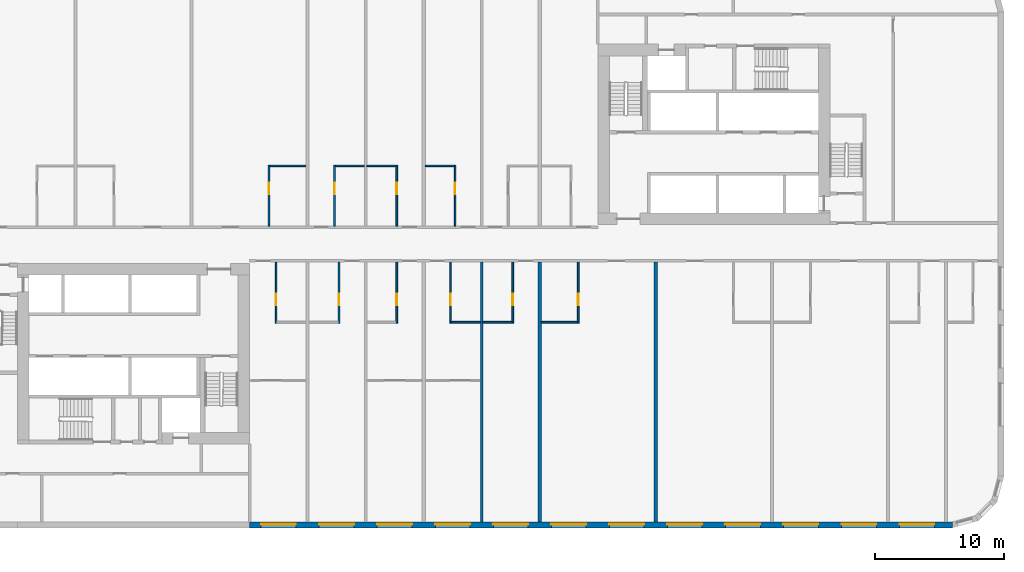
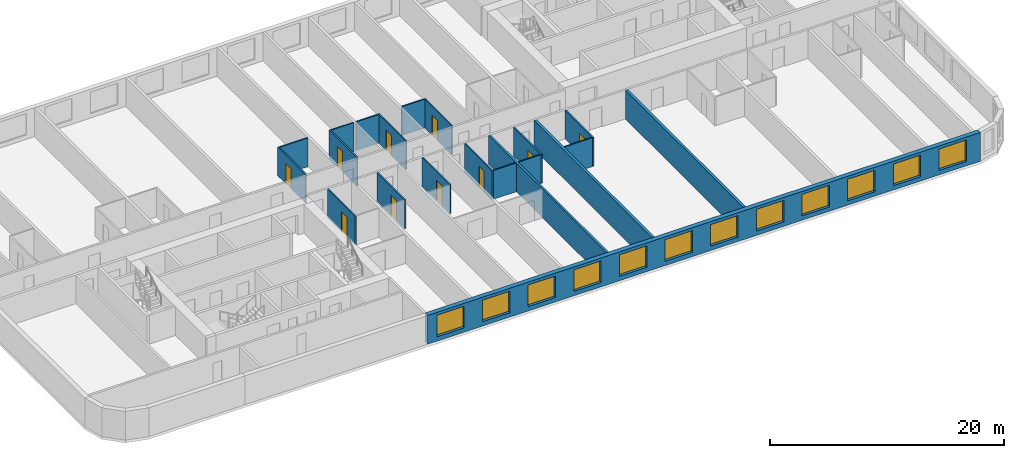
# One storey, part 4 of 12: 21 walls, 12 windows, 10 doors, 22 openings.
"""IFC4 building model written with IfcOpenShell, lengths in metres."""

from ifc_helpers import new_model, si_unit, direction, frame, frame_2d, origin, place, context, subcontext, project, spatial, rectangle, extrude, material, layer, layer_set, type_object, element, fill, save


model = new_model("IFC4")

# Units and contexts
model_context = context("Model", 3, precision=1e-05, world=origin(), true_north=direction((0.0, 1.0)))
body_context = subcontext(model_context, "Body", "Model", "MODEL_VIEW")
ifc_project = project(units=[si_unit("LENGTHUNIT", "METRE"), si_unit("AREAUNIT", "SQUARE_METRE"), si_unit("VOLUMEUNIT", "CUBIC_METRE"), si_unit("PLANEANGLEUNIT", "RADIAN"), si_unit("MASSUNIT", "GRAM", prefix="KILO")], contexts=[model_context])

# Site, building, storey
site_placement = place(None, origin())
site = spatial("IfcSite", under=ifc_project, at=site_placement, CompositionType="ELEMENT")
building_placement = place(site_placement, origin())
building = spatial("IfcBuilding", under=site, at=building_placement, Name="Kajstack Hotel Tower", CompositionType="ELEMENT")
storey_placement = place(building_placement, frame((0.0, 0.0, 96.300048828125)))
storey = spatial("IfcBuildingStorey", under=building, at=storey_placement, Name="L20", CompositionType="ELEMENT", Elevation=96.300048828125)

# Wall
ifc_material_1 = material(Name="Twin-frame gypsum board on steel studs, mineral wool", Category="steel")
ifc_layer_1 = layer(ifc_material_1, 0.199951171875)
ifc_layer_set_1 = layer_set([ifc_layer_1], Name="Demising wall 200")
wall_type_1 = type_object("IfcWallType", Name="Demising wall 200", PredefinedType="PARTITIONING", material=ifc_layer_set_1)
wall_1_placement = place(storey_placement, frame((4.5, -21.550048828125, 0.0), z_axis=(0.0, 0.0, 1.0), x_axis=(0.0, 1.0, 0.0)))
element("IfcWall", 1, at=wall_1_placement, inside=storey, type_object=wall_type_1, Name="G-wall-L20-036", PredefinedType="PARTITIONING", context=body_context, shape_type="SweptSolid", body=[
    extrude(rectangle(XDim=20.150146484375, YDim=0.199951171875, at=frame_2d((10.0751953125, 0.0))), origin(), (0.0, 0.0, 1.0), 3.0),
])

# Wall, openings, windows
ifc_material_2 = material(Name="Terracotta-faced brick masonry", Category="masonry")
ifc_layer_2 = layer(ifc_material_2, 0.449951171875)
ifc_layer_set_2 = layer_set([ifc_layer_2], Name="EW-TERRA")
wall_type_2 = type_object("IfcWallType", Name="EW-TERRA", PredefinedType="SOLIDWALL", material=ifc_layer_set_2)
wall_2_placement = place(storey_placement, frame((-13.5, -21.77490234375, 0.0), z_axis=(0.0, 0.0, 1.0), x_axis=(1.0, 0.0, 0.0)))
wall_2 = element("IfcWall", 2, at=wall_2_placement, inside=storey, type_object=wall_type_2, Name="E-wall-L20-03-02", PredefinedType="SOLIDWALL", context=body_context, shape_type="SweptSolid", body=[
    extrude(rectangle(XDim=54.5, YDim=0.449951171875, at=frame_2d((27.25, 0.0))), origin(), (0.0, 0.0, 1.0), 3.0),
])
opening_1_placement = place(wall_2_placement, frame((0.89990234375, 0.0, 0.449951171875)))
opening_1 = element("IfcOpeningElement", 3, at=opening_1_placement, cuts=wall_2, Name="Opening W1", PredefinedType="OPENING", context=body_context, shape_type="SweptSolid", body=[
    extrude(rectangle(XDim=2.699951171875, YDim=2.25, at=frame_2d((1.35009765625, 1.125))), frame((0.0, 0.23486328125, 0.0), z_axis=(0.0, -1.0, 0.0), x_axis=(1.0, 0.0, 0.0)), (0.0, 0.0, 1.0), 0.469970703125),
])
opening_2_placement = place(wall_2_placement, frame((5.39990234375, 0.0, 0.449951171875)))
opening_2 = element("IfcOpeningElement", 4, at=opening_2_placement, cuts=wall_2, Name="Opening W1", PredefinedType="OPENING", context=body_context, shape_type="SweptSolid", body=[
    extrude(rectangle(XDim=2.699951171875, YDim=2.25, at=frame_2d((1.35009765625, 1.125))), frame((0.0, 0.23486328125, 0.0), z_axis=(0.0, -1.0, 0.0), x_axis=(1.0, 0.0, 0.0)), (0.0, 0.0, 1.0), 0.469970703125),
])
opening_3_placement = place(wall_2_placement, frame((9.89990234375, 0.0, 0.449951171875)))
opening_3 = element("IfcOpeningElement", 5, at=opening_3_placement, cuts=wall_2, Name="Opening W1", PredefinedType="OPENING", context=body_context, shape_type="SweptSolid", body=[
    extrude(rectangle(XDim=2.699951171875, YDim=2.25, at=frame_2d((1.35009765625, 1.125))), frame((0.0, 0.23486328125, 0.0), z_axis=(0.0, -1.0, 0.0), x_axis=(1.0, 0.0, 0.0)), (0.0, 0.0, 1.0), 0.469970703125),
])
opening_4_placement = place(wall_2_placement, frame((14.39990234375, 0.0, 0.449951171875)))
opening_4 = element("IfcOpeningElement", 6, at=opening_4_placement, cuts=wall_2, Name="Opening W1", PredefinedType="OPENING", context=body_context, shape_type="SweptSolid", body=[
    extrude(rectangle(XDim=2.699951171875, YDim=2.25, at=frame_2d((1.35009765625, 1.125))), frame((0.0, 0.23486328125, 0.0), z_axis=(0.0, -1.0, 0.0), x_axis=(1.0, 0.0, 0.0)), (0.0, 0.0, 1.0), 0.469970703125),
])
opening_5_placement = place(wall_2_placement, frame((18.89990234375, 0.0, 0.449951171875)))
opening_5 = element("IfcOpeningElement", 7, at=opening_5_placement, cuts=wall_2, Name="Opening W1", PredefinedType="OPENING", context=body_context, shape_type="SweptSolid", body=[
    extrude(rectangle(XDim=2.699951171875, YDim=2.25, at=frame_2d((1.35009765625, 1.125))), frame((0.0, 0.23486328125, 0.0), z_axis=(0.0, -1.0, 0.0), x_axis=(1.0, 0.0, 0.0)), (0.0, 0.0, 1.0), 0.469970703125),
])
opening_6_placement = place(wall_2_placement, frame((23.39990234375, 0.0, 0.449951171875)))
opening_6 = element("IfcOpeningElement", 8, at=opening_6_placement, cuts=wall_2, Name="Opening W1", PredefinedType="OPENING", context=body_context, shape_type="SweptSolid", body=[
    extrude(rectangle(XDim=2.699951171875, YDim=2.25, at=frame_2d((1.35009765625, 1.125))), frame((0.0, 0.23486328125, 0.0), z_axis=(0.0, -1.0, 0.0), x_axis=(1.0, 0.0, 0.0)), (0.0, 0.0, 1.0), 0.469970703125),
])
opening_7_placement = place(wall_2_placement, frame((27.89990234375, 0.0, 0.449951171875)))
opening_7 = element("IfcOpeningElement", 9, at=opening_7_placement, cuts=wall_2, Name="Opening W1", PredefinedType="OPENING", context=body_context, shape_type="SweptSolid", body=[
    extrude(rectangle(XDim=2.699951171875, YDim=2.25, at=frame_2d((1.35009765625, 1.125))), frame((0.0, 0.23486328125, 0.0), z_axis=(0.0, -1.0, 0.0), x_axis=(1.0, 0.0, 0.0)), (0.0, 0.0, 1.0), 0.469970703125),
])
opening_8_placement = place(wall_2_placement, frame((32.39990234375, 0.0, 0.449951171875)))
opening_8 = element("IfcOpeningElement", 10, at=opening_8_placement, cuts=wall_2, Name="Opening W1", PredefinedType="OPENING", context=body_context, shape_type="SweptSolid", body=[
    extrude(rectangle(XDim=2.699951171875, YDim=2.25, at=frame_2d((1.35009765625, 1.125))), frame((0.0, 0.23486328125, 0.0), z_axis=(0.0, -1.0, 0.0), x_axis=(1.0, 0.0, 0.0)), (0.0, 0.0, 1.0), 0.469970703125),
])
opening_9_placement = place(wall_2_placement, frame((36.89990234375, 0.0, 0.449951171875)))
opening_9 = element("IfcOpeningElement", 11, at=opening_9_placement, cuts=wall_2, Name="Opening W1", PredefinedType="OPENING", context=body_context, shape_type="SweptSolid", body=[
    extrude(rectangle(XDim=2.699951171875, YDim=2.25, at=frame_2d((1.35009765625, 1.125))), frame((0.0, 0.23486328125, 0.0), z_axis=(0.0, -1.0, 0.0), x_axis=(1.0, 0.0, 0.0)), (0.0, 0.0, 1.0), 0.469970703125),
])
opening_10_placement = place(wall_2_placement, frame((41.39990234375, 0.0, 0.449951171875)))
opening_10 = element("IfcOpeningElement", 12, at=opening_10_placement, cuts=wall_2, Name="Opening W1", PredefinedType="OPENING", context=body_context, shape_type="SweptSolid", body=[
    extrude(rectangle(XDim=2.699951171875, YDim=2.25, at=frame_2d((1.35009765625, 1.125))), frame((0.0, 0.23486328125, 0.0), z_axis=(0.0, -1.0, 0.0), x_axis=(1.0, 0.0, 0.0)), (0.0, 0.0, 1.0), 0.469970703125),
])
opening_11_placement = place(wall_2_placement, frame((45.89990234375, 0.0, 0.449951171875)))
opening_11 = element("IfcOpeningElement", 13, at=opening_11_placement, cuts=wall_2, Name="Opening W1", PredefinedType="OPENING", context=body_context, shape_type="SweptSolid", body=[
    extrude(rectangle(XDim=2.699951171875, YDim=2.25, at=frame_2d((1.35009765625, 1.125))), frame((0.0, 0.23486328125, 0.0), z_axis=(0.0, -1.0, 0.0), x_axis=(1.0, 0.0, 0.0)), (0.0, 0.0, 1.0), 0.469970703125),
])
opening_12_placement = place(wall_2_placement, frame((50.39990234375, 0.0, 0.449951171875)))
opening_12 = element("IfcOpeningElement", 14, at=opening_12_placement, cuts=wall_2, Name="Opening W1", PredefinedType="OPENING", context=body_context, shape_type="SweptSolid", body=[
    extrude(rectangle(XDim=2.699951171875, YDim=2.25, at=frame_2d((1.35009765625, 1.125))), frame((0.0, 0.23486328125, 0.0), z_axis=(0.0, -1.0, 0.0), x_axis=(1.0, 0.0, 0.0)), (0.0, 0.0, 1.0), 0.469970703125),
])
ifc_material_3 = material(Name="Timber-aluminium window, triple glazed", Category="wood")
window_type = type_object("IfcWindowType", Name="WG1", PartitioningType="SINGLE_PANEL", PredefinedType="WINDOW", material=ifc_material_3)
window_1_placement = place(opening_1_placement, origin())
window_1 = element("IfcWindow", 15, at=window_1_placement, inside=storey, type_object=window_type, Name="Window W1 L20-03", OverallHeight=2.25, OverallWidth=2.699951171875, PartitioningType="SINGLE_PANEL", PredefinedType="WINDOW", context=body_context, shape_type="SweptSolid", body=[
    extrude(rectangle(XDim=2.699951171875, YDim=2.25, at=frame_2d((1.35009765625, 1.125))), frame((0.0, 0.090087890625, 0.0), z_axis=(0.0, -1.0, 0.0), x_axis=(1.0, 0.0, 0.0)), (0.0, 0.0, 1.0), 0.06005859375),
])
fill(opening_1, window_1)
window_2_placement = place(opening_2_placement, origin())
window_2 = element("IfcWindow", 16, at=window_2_placement, inside=storey, type_object=window_type, Name="Window W1 L20-03", OverallHeight=2.25, OverallWidth=2.699951171875, PartitioningType="SINGLE_PANEL", PredefinedType="WINDOW", context=body_context, shape_type="SweptSolid", body=[
    extrude(rectangle(XDim=2.699951171875, YDim=2.25, at=frame_2d((1.35009765625, 1.125))), frame((0.0, 0.090087890625, 0.0), z_axis=(0.0, -1.0, 0.0), x_axis=(1.0, 0.0, 0.0)), (0.0, 0.0, 1.0), 0.06005859375),
])
fill(opening_2, window_2)
window_3_placement = place(opening_3_placement, origin())
window_3 = element("IfcWindow", 17, at=window_3_placement, inside=storey, type_object=window_type, Name="Window W1 L20-03", OverallHeight=2.25, OverallWidth=2.699951171875, PartitioningType="SINGLE_PANEL", PredefinedType="WINDOW", context=body_context, shape_type="SweptSolid", body=[
    extrude(rectangle(XDim=2.699951171875, YDim=2.25, at=frame_2d((1.35009765625, 1.125))), frame((0.0, 0.090087890625, 0.0), z_axis=(0.0, -1.0, 0.0), x_axis=(1.0, 0.0, 0.0)), (0.0, 0.0, 1.0), 0.06005859375),
])
fill(opening_3, window_3)
window_4_placement = place(opening_4_placement, origin())
window_4 = element("IfcWindow", 18, at=window_4_placement, inside=storey, type_object=window_type, Name="Window W1 L20-03", OverallHeight=2.25, OverallWidth=2.699951171875, PartitioningType="SINGLE_PANEL", PredefinedType="WINDOW", context=body_context, shape_type="SweptSolid", body=[
    extrude(rectangle(XDim=2.699951171875, YDim=2.25, at=frame_2d((1.35009765625, 1.125))), frame((0.0, 0.090087890625, 0.0), z_axis=(0.0, -1.0, 0.0), x_axis=(1.0, 0.0, 0.0)), (0.0, 0.0, 1.0), 0.06005859375),
])
fill(opening_4, window_4)
window_5_placement = place(opening_5_placement, origin())
window_5 = element("IfcWindow", 19, at=window_5_placement, inside=storey, type_object=window_type, Name="Window W1 L20-03", OverallHeight=2.25, OverallWidth=2.699951171875, PartitioningType="SINGLE_PANEL", PredefinedType="WINDOW", context=body_context, shape_type="SweptSolid", body=[
    extrude(rectangle(XDim=2.699951171875, YDim=2.25, at=frame_2d((1.35009765625, 1.125))), frame((0.0, 0.090087890625, 0.0), z_axis=(0.0, -1.0, 0.0), x_axis=(1.0, 0.0, 0.0)), (0.0, 0.0, 1.0), 0.06005859375),
])
fill(opening_5, window_5)
window_6_placement = place(opening_6_placement, origin())
window_6 = element("IfcWindow", 20, at=window_6_placement, inside=storey, type_object=window_type, Name="Window W1 L20-03", OverallHeight=2.25, OverallWidth=2.699951171875, PartitioningType="SINGLE_PANEL", PredefinedType="WINDOW", context=body_context, shape_type="SweptSolid", body=[
    extrude(rectangle(XDim=2.699951171875, YDim=2.25, at=frame_2d((1.35009765625, 1.125))), frame((0.0, 0.090087890625, 0.0), z_axis=(0.0, -1.0, 0.0), x_axis=(1.0, 0.0, 0.0)), (0.0, 0.0, 1.0), 0.06005859375),
])
fill(opening_6, window_6)
window_7_placement = place(opening_7_placement, origin())
window_7 = element("IfcWindow", 21, at=window_7_placement, inside=storey, type_object=window_type, Name="Window W1 L20-03", OverallHeight=2.25, OverallWidth=2.699951171875, PartitioningType="SINGLE_PANEL", PredefinedType="WINDOW", context=body_context, shape_type="SweptSolid", body=[
    extrude(rectangle(XDim=2.699951171875, YDim=2.25, at=frame_2d((1.35009765625, 1.125))), frame((0.0, 0.090087890625, 0.0), z_axis=(0.0, -1.0, 0.0), x_axis=(1.0, 0.0, 0.0)), (0.0, 0.0, 1.0), 0.06005859375),
])
fill(opening_7, window_7)
window_8_placement = place(opening_8_placement, origin())
window_8 = element("IfcWindow", 22, at=window_8_placement, inside=storey, type_object=window_type, Name="Window W1 L20-03", OverallHeight=2.25, OverallWidth=2.699951171875, PartitioningType="SINGLE_PANEL", PredefinedType="WINDOW", context=body_context, shape_type="SweptSolid", body=[
    extrude(rectangle(XDim=2.699951171875, YDim=2.25, at=frame_2d((1.35009765625, 1.125))), frame((0.0, 0.090087890625, 0.0), z_axis=(0.0, -1.0, 0.0), x_axis=(1.0, 0.0, 0.0)), (0.0, 0.0, 1.0), 0.06005859375),
])
fill(opening_8, window_8)
window_9_placement = place(opening_9_placement, origin())
window_9 = element("IfcWindow", 23, at=window_9_placement, inside=storey, type_object=window_type, Name="Window W1 L20-03", OverallHeight=2.25, OverallWidth=2.699951171875, PartitioningType="SINGLE_PANEL", PredefinedType="WINDOW", context=body_context, shape_type="SweptSolid", body=[
    extrude(rectangle(XDim=2.699951171875, YDim=2.25, at=frame_2d((1.35009765625, 1.125))), frame((0.0, 0.090087890625, 0.0), z_axis=(0.0, -1.0, 0.0), x_axis=(1.0, 0.0, 0.0)), (0.0, 0.0, 1.0), 0.06005859375),
])
fill(opening_9, window_9)
window_10_placement = place(opening_10_placement, origin())
window_10 = element("IfcWindow", 24, at=window_10_placement, inside=storey, type_object=window_type, Name="Window W1 L20-03", OverallHeight=2.25, OverallWidth=2.699951171875, PartitioningType="SINGLE_PANEL", PredefinedType="WINDOW", context=body_context, shape_type="SweptSolid", body=[
    extrude(rectangle(XDim=2.699951171875, YDim=2.25, at=frame_2d((1.35009765625, 1.125))), frame((0.0, 0.090087890625, 0.0), z_axis=(0.0, -1.0, 0.0), x_axis=(1.0, 0.0, 0.0)), (0.0, 0.0, 1.0), 0.06005859375),
])
fill(opening_10, window_10)
window_11_placement = place(opening_11_placement, origin())
window_11 = element("IfcWindow", 25, at=window_11_placement, inside=storey, type_object=window_type, Name="Window W1 L20-03", OverallHeight=2.25, OverallWidth=2.699951171875, PartitioningType="SINGLE_PANEL", PredefinedType="WINDOW", context=body_context, shape_type="SweptSolid", body=[
    extrude(rectangle(XDim=2.699951171875, YDim=2.25, at=frame_2d((1.35009765625, 1.125))), frame((0.0, 0.090087890625, 0.0), z_axis=(0.0, -1.0, 0.0), x_axis=(1.0, 0.0, 0.0)), (0.0, 0.0, 1.0), 0.06005859375),
])
fill(opening_11, window_11)
window_12_placement = place(opening_12_placement, origin())
window_12 = element("IfcWindow", 26, at=window_12_placement, inside=storey, type_object=window_type, Name="Window W1 L20-03", OverallHeight=2.25, OverallWidth=2.699951171875, PartitioningType="SINGLE_PANEL", PredefinedType="WINDOW", context=body_context, shape_type="SweptSolid", body=[
    extrude(rectangle(XDim=2.699951171875, YDim=2.25, at=frame_2d((1.35009765625, 1.125))), frame((0.0, 0.090087890625, 0.0), z_axis=(0.0, -1.0, 0.0), x_axis=(1.0, 0.0, 0.0)), (0.0, 0.0, 1.0), 0.06005859375),
])
fill(opening_12, window_12)

# Wall, opening, door
ifc_material_4 = material(Name="Gypsum board and tiled backer on steel studs", Category="steel")
ifc_layer_3 = layer(ifc_material_4, 0.125)
ifc_layer_set_3 = layer_set([ifc_layer_3], Name="En-suite wall 125")
wall_type_3 = type_object("IfcWallType", Name="En-suite wall 125", PredefinedType="PARTITIONING", material=ifc_layer_set_3)
wall_3_placement = place(storey_placement, frame((-11.988037109375, 1.39990234375, 0.0), z_axis=(0.0, 0.0, 1.0), x_axis=(0.0, 1.0, 0.0)))
wall_3 = element("IfcWall", 27, at=wall_3_placement, inside=storey, type_object=wall_type_3, Name="G-wall-L20-012", PredefinedType="PARTITIONING", context=body_context, shape_type="SweptSolid", body=[
    extrude(rectangle(XDim=4.72509765625, YDim=0.125, at=frame_2d((2.362548828125, 0.0))), origin(), (0.0, 0.0, 1.0), 3.0),
])
opening_13_placement = place(wall_3_placement, frame((2.449951171875, 0.0, 0.0)))
opening_13 = element("IfcOpeningElement", 28, at=opening_13_placement, cuts=wall_3, Name="Opening 20010", PredefinedType="OPENING", context=body_context, shape_type="SweptSolid", body=[
    extrude(rectangle(XDim=0.89990234375, YDim=2.10009765625, at=frame_2d((0.449951171875, 1.050048828125))), frame((0.0, 0.072509765625, 0.0), z_axis=(0.0, -1.0, 0.0), x_axis=(1.0, 0.0, 0.0)), (0.0, 0.0, 1.0), 0.14501953125),
])
ifc_material_5 = material(Name="Painted timber door leaf", Category="wood")
door_type = type_object("IfcDoorType", Name="Room door 900", OperationType="SINGLE_SWING_LEFT", PredefinedType="DOOR", material=ifc_material_5)
door_1_placement = place(opening_13_placement, origin())
door_1 = element("IfcDoor", 29, at=door_1_placement, inside=storey, type_object=door_type, Name="G-door-L20-10", OperationType="SINGLE_SWING_LEFT", OverallHeight=2.10009765625, OverallWidth=0.89990234375, PredefinedType="DOOR", context=body_context, shape_type="SweptSolid", body=[
    extrude(rectangle(XDim=0.89990234375, YDim=2.10009765625, at=frame_2d((0.449951171875, 1.050048828125))), frame((0.0, 0.02490234375, 0.0), z_axis=(0.0, -1.0, 0.0), x_axis=(1.0, 0.0, 0.0)), (0.0, 0.0, 1.0), 0.050048828125),
])
fill(opening_13, door_1)

# Wall
wall_4_placement = place(storey_placement, frame((-11.925048828125, 6.06201171875, 0.0), z_axis=(0.0, 0.0, 1.0), x_axis=(1.0, 0.0, 0.0)))
element("IfcWall", 30, at=wall_4_placement, inside=storey, type_object=wall_type_3, Name="G-wall-L20-013", PredefinedType="PARTITIONING", context=body_context, shape_type="SweptSolid", body=[
    extrude(rectangle(XDim=2.800048828125, YDim=0.125, at=frame_2d((1.39990234375, 0.0))), origin(), (0.0, 0.0, 1.0), 3.0),
])

# Wall, opening, door
wall_5_placement = place(storey_placement, frame((-6.912109375, 1.39990234375, 0.0), z_axis=(0.0, 0.0, 1.0), x_axis=(0.0, 1.0, 0.0)))
wall_5 = element("IfcWall", 31, at=wall_5_placement, inside=storey, type_object=wall_type_3, Name="G-wall-L20-015", PredefinedType="PARTITIONING", context=body_context, shape_type="SweptSolid", body=[
    extrude(rectangle(XDim=4.72509765625, YDim=0.125, at=frame_2d((2.362548828125, 0.0))), origin(), (0.0, 0.0, 1.0), 3.0),
])
opening_14_placement = place(wall_5_placement, frame((2.449951171875, 0.0, 0.0)))
opening_14 = element("IfcOpeningElement", 32, at=opening_14_placement, cuts=wall_5, Name="Opening 20012", PredefinedType="OPENING", context=body_context, shape_type="SweptSolid", body=[
    extrude(rectangle(XDim=0.89990234375, YDim=2.10009765625, at=frame_2d((0.449951171875, 1.050048828125))), frame((0.0, 0.072509765625, 0.0), z_axis=(0.0, -1.0, 0.0), x_axis=(1.0, 0.0, 0.0)), (0.0, 0.0, 1.0), 0.14501953125),
])
door_2_placement = place(opening_14_placement, origin())
door_2 = element("IfcDoor", 33, at=door_2_placement, inside=storey, type_object=door_type, Name="G-door-L20-12", OperationType="SINGLE_SWING_LEFT", OverallHeight=2.10009765625, OverallWidth=0.89990234375, PredefinedType="DOOR", context=body_context, shape_type="SweptSolid", body=[
    extrude(rectangle(XDim=0.89990234375, YDim=2.10009765625, at=frame_2d((0.449951171875, 1.050048828125))), frame((0.0, 0.02490234375, 0.0), z_axis=(0.0, -1.0, 0.0), x_axis=(1.0, 0.0, 0.0)), (0.0, 0.0, 1.0), 0.050048828125),
])
fill(opening_14, door_2)

# Wall
wall_6_placement = place(storey_placement, frame((-6.85009765625, 6.06201171875, 0.0), z_axis=(0.0, 0.0, 1.0), x_axis=(1.0, 0.0, 0.0)))
element("IfcWall", 34, at=wall_6_placement, inside=storey, type_object=wall_type_3, Name="G-wall-L20-016", PredefinedType="PARTITIONING", context=body_context, shape_type="SweptSolid", body=[
    extrude(rectangle(XDim=2.25, YDim=0.125, at=frame_2d((1.125, 0.0))), origin(), (0.0, 0.0, 1.0), 3.0),
])

# Wall, opening, door
wall_7_placement = place(storey_placement, frame((-2.0869140625, 1.39990234375, 0.0), z_axis=(0.0, 0.0, 1.0), x_axis=(0.0, 1.0, 0.0)))
wall_7 = element("IfcWall", 35, at=wall_7_placement, inside=storey, type_object=wall_type_3, Name="G-wall-L20-017", PredefinedType="PARTITIONING", context=body_context, shape_type="SweptSolid", body=[
    extrude(rectangle(XDim=4.72509765625, YDim=0.125, at=frame_2d((2.362548828125, 0.0))), origin(), (0.0, 0.0, 1.0), 3.0),
])
opening_15_placement = place(wall_7_placement, frame((2.449951171875, 0.0, 0.0)))
opening_15 = element("IfcOpeningElement", 36, at=opening_15_placement, cuts=wall_7, Name="Opening 20014", PredefinedType="OPENING", context=body_context, shape_type="SweptSolid", body=[
    extrude(rectangle(XDim=0.89990234375, YDim=2.10009765625, at=frame_2d((0.449951171875, 1.050048828125))), frame((0.0, 0.072509765625, 0.0), z_axis=(0.0, -1.0, 0.0), x_axis=(1.0, 0.0, 0.0)), (0.0, 0.0, 1.0), 0.14501953125),
])
door_3_placement = place(opening_15_placement, origin())
door_3 = element("IfcDoor", 37, at=door_3_placement, inside=storey, type_object=door_type, Name="G-door-L20-14", OperationType="SINGLE_SWING_RIGHT", OverallHeight=2.10009765625, OverallWidth=0.89990234375, PredefinedType="DOOR", context=body_context, shape_type="SweptSolid", body=[
    extrude(rectangle(XDim=0.89990234375, YDim=2.10009765625, at=frame_2d((0.449951171875, 1.050048828125))), frame((0.0, 0.02490234375, 0.0), z_axis=(0.0, -1.0, 0.0), x_axis=(1.0, 0.0, 0.0)), (0.0, 0.0, 1.0), 0.050048828125),
])
fill(opening_15, door_3)

# Wall
wall_8_placement = place(storey_placement, frame((-4.39990234375, 6.06201171875, 0.0), z_axis=(0.0, 0.0, 1.0), x_axis=(1.0, 0.0, 0.0)))
element("IfcWall", 38, at=wall_8_placement, inside=storey, type_object=wall_type_3, Name="G-wall-L20-018", PredefinedType="PARTITIONING", context=body_context, shape_type="SweptSolid", body=[
    extrude(rectangle(XDim=2.25, YDim=0.125, at=frame_2d((1.125, 0.0))), origin(), (0.0, 0.0, 1.0), 3.0),
])

# Wall, opening, door
wall_9_placement = place(storey_placement, frame((2.43798828125, 1.39990234375, 0.0), z_axis=(0.0, 0.0, 1.0), x_axis=(0.0, 1.0, 0.0)))
wall_9 = element("IfcWall", 39, at=wall_9_placement, inside=storey, type_object=wall_type_3, Name="G-wall-L20-020", PredefinedType="PARTITIONING", context=body_context, shape_type="SweptSolid", body=[
    extrude(rectangle(XDim=4.72509765625, YDim=0.125, at=frame_2d((2.362548828125, 0.0))), origin(), (0.0, 0.0, 1.0), 3.0),
])
opening_16_placement = place(wall_9_placement, frame((2.449951171875, 0.0, 0.0)))
opening_16 = element("IfcOpeningElement", 40, at=opening_16_placement, cuts=wall_9, Name="Opening 20016", PredefinedType="OPENING", context=body_context, shape_type="SweptSolid", body=[
    extrude(rectangle(XDim=0.89990234375, YDim=2.10009765625, at=frame_2d((0.449951171875, 1.050048828125))), frame((0.0, 0.072509765625, 0.0), z_axis=(0.0, -1.0, 0.0), x_axis=(1.0, 0.0, 0.0)), (0.0, 0.0, 1.0), 0.14501953125),
])
door_4_placement = place(opening_16_placement, origin())
door_4 = element("IfcDoor", 41, at=door_4_placement, inside=storey, type_object=door_type, Name="G-door-L20-16", OperationType="SINGLE_SWING_LEFT", OverallHeight=2.10009765625, OverallWidth=0.89990234375, PredefinedType="DOOR", context=body_context, shape_type="SweptSolid", body=[
    extrude(rectangle(XDim=0.89990234375, YDim=2.10009765625, at=frame_2d((0.449951171875, 1.050048828125))), frame((0.0, 0.02490234375, 0.0), z_axis=(0.0, -1.0, 0.0), x_axis=(1.0, 0.0, 0.0)), (0.0, 0.0, 1.0), 0.050048828125),
])
fill(opening_16, door_4)

# Wall
wall_10_placement = place(storey_placement, frame((0.125, 6.06201171875, 0.0), z_axis=(0.0, 0.0, 1.0), x_axis=(1.0, 0.0, 0.0)))
element("IfcWall", 42, at=wall_10_placement, inside=storey, type_object=wall_type_3, Name="G-wall-L20-021", PredefinedType="PARTITIONING", context=body_context, shape_type="SweptSolid", body=[
    extrude(rectangle(XDim=2.25, YDim=0.125, at=frame_2d((1.125, 0.0))), origin(), (0.0, 0.0, 1.0), 3.0),
])

# Wall, opening, door
wall_11_placement = place(storey_placement, frame((-11.43798828125, -6.125, 0.0), z_axis=(0.0, 0.0, 1.0), x_axis=(0.0, 1.0, 0.0)))
wall_11 = element("IfcWall", 43, at=wall_11_placement, inside=storey, type_object=wall_type_3, Name="G-wall-L20-027", PredefinedType="PARTITIONING", context=body_context, shape_type="SweptSolid", body=[
    extrude(rectangle(XDim=4.72509765625, YDim=0.125, at=frame_2d((2.362548828125, 0.0))), origin(), (0.0, 0.0, 1.0), 3.0),
])
opening_17_placement = place(wall_11_placement, frame((1.375, 0.0, 0.0)))
opening_17 = element("IfcOpeningElement", 44, at=opening_17_placement, cuts=wall_11, Name="Opening 20022", PredefinedType="OPENING", context=body_context, shape_type="SweptSolid", body=[
    extrude(rectangle(XDim=0.89990234375, YDim=2.10009765625, at=frame_2d((0.449951171875, 1.050048828125))), frame((0.0, 0.072509765625, 0.0), z_axis=(0.0, -1.0, 0.0), x_axis=(1.0, 0.0, 0.0)), (0.0, 0.0, 1.0), 0.14501953125),
])
door_5_placement = place(opening_17_placement, origin())
door_5 = element("IfcDoor", 45, at=door_5_placement, inside=storey, type_object=door_type, Name="G-door-L20-22", OperationType="SINGLE_SWING_RIGHT", OverallHeight=2.10009765625, OverallWidth=0.89990234375, PredefinedType="DOOR", context=body_context, shape_type="SweptSolid", body=[
    extrude(rectangle(XDim=0.89990234375, YDim=2.10009765625, at=frame_2d((0.449951171875, 1.050048828125))), frame((0.0, 0.02490234375, 0.0), z_axis=(0.0, -1.0, 0.0), x_axis=(1.0, 0.0, 0.0)), (0.0, 0.0, 1.0), 0.050048828125),
])
fill(opening_17, door_5)

wall_12_placement = place(storey_placement, frame((-6.56201171875, -6.125, 0.0), z_axis=(0.0, 0.0, 1.0), x_axis=(0.0, 1.0, 0.0)))
wall_12 = element("IfcWall", 46, at=wall_12_placement, inside=storey, type_object=wall_type_3, Name="G-wall-L20-031", PredefinedType="PARTITIONING", context=body_context, shape_type="SweptSolid", body=[
    extrude(rectangle(XDim=4.72509765625, YDim=0.125, at=frame_2d((2.362548828125, 0.0))), origin(), (0.0, 0.0, 1.0), 3.0),
])
opening_18_placement = place(wall_12_placement, frame((1.375, 0.0, 0.0)))
opening_18 = element("IfcOpeningElement", 47, at=opening_18_placement, cuts=wall_12, Name="Opening 20025", PredefinedType="OPENING", context=body_context, shape_type="SweptSolid", body=[
    extrude(rectangle(XDim=0.89990234375, YDim=2.10009765625, at=frame_2d((0.449951171875, 1.050048828125))), frame((0.0, 0.072509765625, 0.0), z_axis=(0.0, -1.0, 0.0), x_axis=(1.0, 0.0, 0.0)), (0.0, 0.0, 1.0), 0.14501953125),
])
door_6_placement = place(opening_18_placement, origin())
door_6 = element("IfcDoor", 48, at=door_6_placement, inside=storey, type_object=door_type, Name="G-door-L20-25", OperationType="SINGLE_SWING_LEFT", OverallHeight=2.10009765625, OverallWidth=0.89990234375, PredefinedType="DOOR", context=body_context, shape_type="SweptSolid", body=[
    extrude(rectangle(XDim=0.89990234375, YDim=2.10009765625, at=frame_2d((0.449951171875, 1.050048828125))), frame((0.0, 0.02490234375, 0.0), z_axis=(0.0, -1.0, 0.0), x_axis=(1.0, 0.0, 0.0)), (0.0, 0.0, 1.0), 0.050048828125),
])
fill(opening_18, door_6)

wall_13_placement = place(storey_placement, frame((-2.0869140625, -6.125, 0.0), z_axis=(0.0, 0.0, 1.0), x_axis=(0.0, 1.0, 0.0)))
wall_13 = element("IfcWall", 49, at=wall_13_placement, inside=storey, type_object=wall_type_3, Name="G-wall-L20-033", PredefinedType="PARTITIONING", context=body_context, shape_type="SweptSolid", body=[
    extrude(rectangle(XDim=4.72509765625, YDim=0.125, at=frame_2d((2.362548828125, 0.0))), origin(), (0.0, 0.0, 1.0), 3.0),
])
opening_19_placement = place(wall_13_placement, frame((1.375, 0.0, 0.0)))
opening_19 = element("IfcOpeningElement", 50, at=opening_19_placement, cuts=wall_13, Name="Opening 20027", PredefinedType="OPENING", context=body_context, shape_type="SweptSolid", body=[
    extrude(rectangle(XDim=0.89990234375, YDim=2.10009765625, at=frame_2d((0.449951171875, 1.050048828125))), frame((0.0, 0.072509765625, 0.0), z_axis=(0.0, -1.0, 0.0), x_axis=(1.0, 0.0, 0.0)), (0.0, 0.0, 1.0), 0.14501953125),
])
door_7_placement = place(opening_19_placement, origin())
door_7 = element("IfcDoor", 51, at=door_7_placement, inside=storey, type_object=door_type, Name="G-door-L20-27", OperationType="SINGLE_SWING_LEFT", OverallHeight=2.10009765625, OverallWidth=0.89990234375, PredefinedType="DOOR", context=body_context, shape_type="SweptSolid", body=[
    extrude(rectangle(XDim=0.89990234375, YDim=2.10009765625, at=frame_2d((0.449951171875, 1.050048828125))), frame((0.0, 0.02490234375, 0.0), z_axis=(0.0, -1.0, 0.0), x_axis=(1.0, 0.0, 0.0)), (0.0, 0.0, 1.0), 0.050048828125),
])
fill(opening_19, door_7)

wall_14_placement = place(storey_placement, frame((2.0869140625, -6.125, 0.0), z_axis=(0.0, 0.0, 1.0), x_axis=(0.0, 1.0, 0.0)))
wall_14 = element("IfcWall", 52, at=wall_14_placement, inside=storey, type_object=wall_type_3, Name="G-wall-L20-037", PredefinedType="PARTITIONING", context=body_context, shape_type="SweptSolid", body=[
    extrude(rectangle(XDim=4.72509765625, YDim=0.125, at=frame_2d((2.362548828125, 0.0))), origin(), (0.0, 0.0, 1.0), 3.0),
])
opening_20_placement = place(wall_14_placement, frame((1.375, 0.0, 0.0)))
opening_20 = element("IfcOpeningElement", 53, at=opening_20_placement, cuts=wall_14, Name="Opening 20030", PredefinedType="OPENING", context=body_context, shape_type="SweptSolid", body=[
    extrude(rectangle(XDim=0.89990234375, YDim=2.10009765625, at=frame_2d((0.449951171875, 1.050048828125))), frame((0.0, 0.072509765625, 0.0), z_axis=(0.0, -1.0, 0.0), x_axis=(1.0, 0.0, 0.0)), (0.0, 0.0, 1.0), 0.14501953125),
])
door_8_placement = place(opening_20_placement, origin())
door_8 = element("IfcDoor", 54, at=door_8_placement, inside=storey, type_object=door_type, Name="G-door-L20-30", OperationType="SINGLE_SWING_RIGHT", OverallHeight=2.10009765625, OverallWidth=0.89990234375, PredefinedType="DOOR", context=body_context, shape_type="SweptSolid", body=[
    extrude(rectangle(XDim=0.89990234375, YDim=2.10009765625, at=frame_2d((0.449951171875, 1.050048828125))), frame((0.0, 0.02490234375, 0.0), z_axis=(0.0, -1.0, 0.0), x_axis=(1.0, 0.0, 0.0)), (0.0, 0.0, 1.0), 0.050048828125),
])
fill(opening_20, door_8)

# Wall
wall_15_placement = place(storey_placement, frame((2.14990234375, -6.06201171875, 0.0), z_axis=(0.0, 0.0, 1.0), x_axis=(1.0, 0.0, 0.0)))
element("IfcWall", 55, at=wall_15_placement, inside=storey, type_object=wall_type_3, Name="G-wall-L20-038", PredefinedType="PARTITIONING", context=body_context, shape_type="SweptSolid", body=[
    extrude(rectangle(XDim=2.25, YDim=0.125, at=frame_2d((1.125, 0.0))), origin(), (0.0, 0.0, 1.0), 3.0),
])

# Wall, opening, door
wall_16_placement = place(storey_placement, frame((6.912109375, -6.125, 0.0), z_axis=(0.0, 0.0, 1.0), x_axis=(0.0, 1.0, 0.0)))
wall_16 = element("IfcWall", 56, at=wall_16_placement, inside=storey, type_object=wall_type_3, Name="G-wall-L20-040", PredefinedType="PARTITIONING", context=body_context, shape_type="SweptSolid", body=[
    extrude(rectangle(XDim=4.72509765625, YDim=0.125, at=frame_2d((2.362548828125, 0.0))), origin(), (0.0, 0.0, 1.0), 3.0),
])
opening_21_placement = place(wall_16_placement, frame((1.375, 0.0, 0.0)))
opening_21 = element("IfcOpeningElement", 57, at=opening_21_placement, cuts=wall_16, Name="Opening 20033", PredefinedType="OPENING", context=body_context, shape_type="SweptSolid", body=[
    extrude(rectangle(XDim=0.89990234375, YDim=2.10009765625, at=frame_2d((0.449951171875, 1.050048828125))), frame((0.0, 0.072509765625, 0.0), z_axis=(0.0, -1.0, 0.0), x_axis=(1.0, 0.0, 0.0)), (0.0, 0.0, 1.0), 0.14501953125),
])
door_9_placement = place(opening_21_placement, origin())
door_9 = element("IfcDoor", 58, at=door_9_placement, inside=storey, type_object=door_type, Name="G-door-L20-33", OperationType="SINGLE_SWING_RIGHT", OverallHeight=2.10009765625, OverallWidth=0.89990234375, PredefinedType="DOOR", context=body_context, shape_type="SweptSolid", body=[
    extrude(rectangle(XDim=0.89990234375, YDim=2.10009765625, at=frame_2d((0.449951171875, 1.050048828125))), frame((0.0, 0.02490234375, 0.0), z_axis=(0.0, -1.0, 0.0), x_axis=(1.0, 0.0, 0.0)), (0.0, 0.0, 1.0), 0.050048828125),
])
fill(opening_21, door_9)

# Wall
wall_17_placement = place(storey_placement, frame((4.60009765625, -6.06201171875, 0.0), z_axis=(0.0, 0.0, 1.0), x_axis=(1.0, 0.0, 0.0)))
element("IfcWall", 59, at=wall_17_placement, inside=storey, type_object=wall_type_3, Name="G-wall-L20-041", PredefinedType="PARTITIONING", context=body_context, shape_type="SweptSolid", body=[
    extrude(rectangle(XDim=2.25, YDim=0.125, at=frame_2d((1.125, 0.0))), origin(), (0.0, 0.0, 1.0), 3.0),
])

# Wall, opening, door
wall_18_placement = place(storey_placement, frame((11.988037109375, -6.125, 0.0), z_axis=(0.0, 0.0, 1.0), x_axis=(0.0, 1.0, 0.0)))
wall_18 = element("IfcWall", 60, at=wall_18_placement, inside=storey, type_object=wall_type_3, Name="G-wall-L20-042", PredefinedType="PARTITIONING", context=body_context, shape_type="SweptSolid", body=[
    extrude(rectangle(XDim=4.72509765625, YDim=0.125, at=frame_2d((2.362548828125, 0.0))), origin(), (0.0, 0.0, 1.0), 3.0),
])
opening_22_placement = place(wall_18_placement, frame((1.375, 0.0, 0.0)))
opening_22 = element("IfcOpeningElement", 61, at=opening_22_placement, cuts=wall_18, Name="Opening 20035", PredefinedType="OPENING", context=body_context, shape_type="SweptSolid", body=[
    extrude(rectangle(XDim=0.89990234375, YDim=2.10009765625, at=frame_2d((0.449951171875, 1.050048828125))), frame((0.0, 0.072509765625, 0.0), z_axis=(0.0, -1.0, 0.0), x_axis=(1.0, 0.0, 0.0)), (0.0, 0.0, 1.0), 0.14501953125),
])
door_10_placement = place(opening_22_placement, origin())
door_10 = element("IfcDoor", 62, at=door_10_placement, inside=storey, type_object=door_type, Name="G-door-L20-35", OperationType="SINGLE_SWING_RIGHT", OverallHeight=2.10009765625, OverallWidth=0.89990234375, PredefinedType="DOOR", context=body_context, shape_type="SweptSolid", body=[
    extrude(rectangle(XDim=0.89990234375, YDim=2.10009765625, at=frame_2d((0.449951171875, 1.050048828125))), frame((0.0, 0.02490234375, 0.0), z_axis=(0.0, -1.0, 0.0), x_axis=(1.0, 0.0, 0.0)), (0.0, 0.0, 1.0), 0.050048828125),
])
fill(opening_22, door_10)

# Walls
wall_19_placement = place(storey_placement, frame((9.125, -6.06201171875, 0.0), z_axis=(0.0, 0.0, 1.0), x_axis=(1.0, 0.0, 0.0)))
element("IfcWall", 63, at=wall_19_placement, inside=storey, type_object=wall_type_3, Name="G-wall-L20-043", PredefinedType="PARTITIONING", context=body_context, shape_type="SweptSolid", body=[
    extrude(rectangle(XDim=2.800048828125, YDim=0.125, at=frame_2d((1.39990234375, 0.0))), origin(), (0.0, 0.0, 1.0), 3.0),
])
ifc_material_6 = material(Name="Concrete C60/75", Category="concrete")
ifc_layer_4 = layer(ifc_material_6, 0.25)
ifc_layer_set_4 = layer_set([ifc_layer_4], Name="RC cross wall 250 C60/75")
wall_type_4 = type_object("IfcWallType", Name="RC cross wall 250 C60/75", PredefinedType="SHEAR", material=ifc_layer_set_4)
for number, where, z_axis, x_axis, name in (
    (64, (9.0, -21.5400390625, 0.0), (0.0, 0.0, 1.0), (0.0, 1.0, 0.0), "S-wall-L20-09"),
    (65, (18.0, -21.5400390625, 0.0), (0.0, 0.0, 1.0), (0.0, 1.0, 0.0), "S-wall-L20-11"),
):
    element("IfcWall", number, at=place(storey_placement, frame(where, z_axis=z_axis, x_axis=x_axis)), inside=storey, type_object=wall_type_4, Name=name, PredefinedType="SHEAR", context=body_context, shape_type="SweptSolid", body=[
        extrude(rectangle(XDim=20.14013671875, YDim=0.25, at=frame_2d((10.070068359375, 0.0))), origin(), (0.0, 0.0, 1.0), 3.0),
    ])

save(model, "model.ifc")
